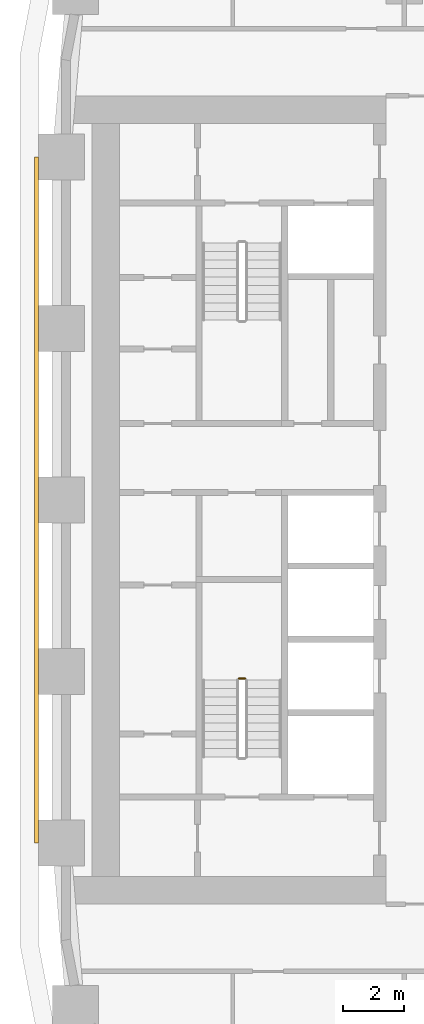
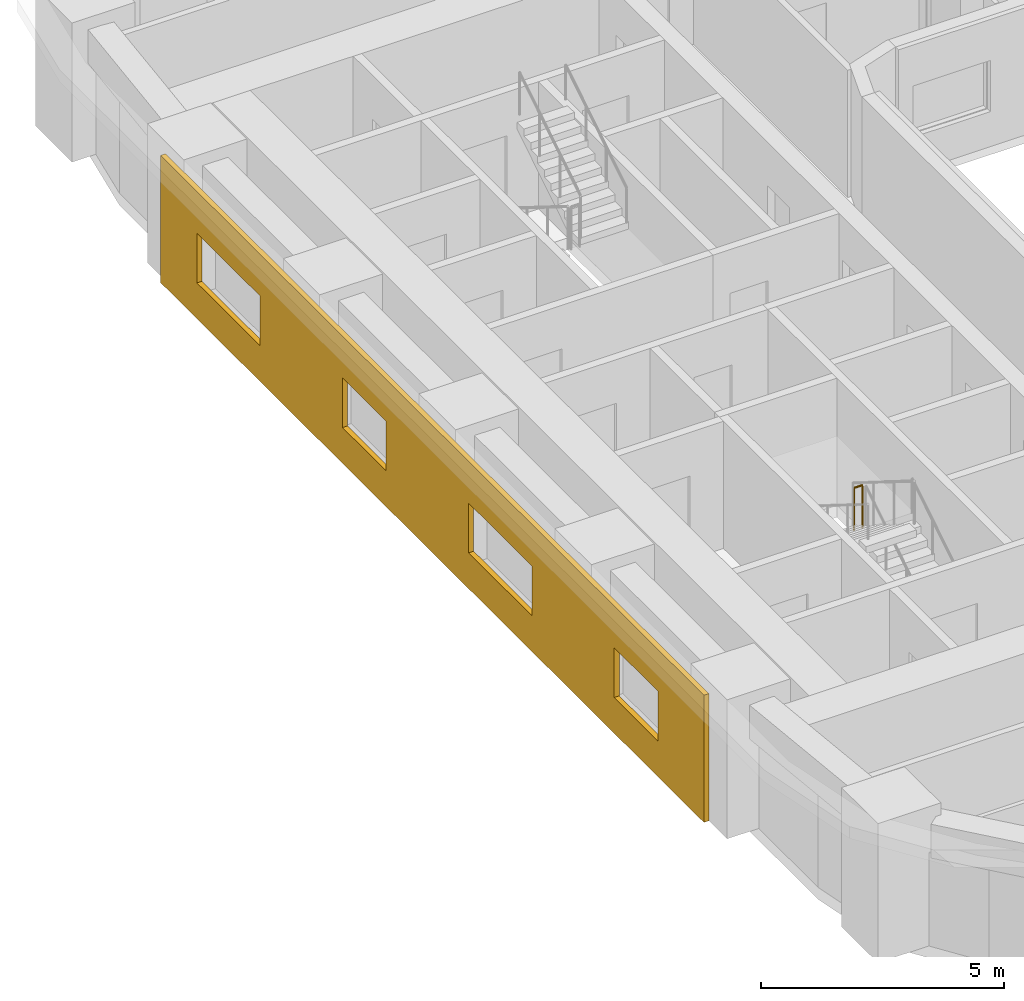
# One storey, part 13 of 21: 1 covering, 1 railing.
"""IFC4 building model written with IfcOpenShell, lengths in metres."""

from ifc_helpers import new_model, si_unit, direction, frame, origin, origin_2d, place, context, subcontext, project, spatial, polyline, circle, outline, extrude, material, layer, layer_set, type_object, element, save


model = new_model("IFC4")

# Units and contexts
model_context = context("Model", 3, precision=1e-05, world=origin(), true_north=direction((0.0, 1.0)))
body_context = subcontext(model_context, "Body", "Model", "MODEL_VIEW")
ifc_project = project(units=[si_unit("LENGTHUNIT", "METRE"), si_unit("AREAUNIT", "SQUARE_METRE"), si_unit("VOLUMEUNIT", "CUBIC_METRE"), si_unit("PLANEANGLEUNIT", "RADIAN"), si_unit("MASSUNIT", "GRAM", prefix="KILO")], contexts=[model_context])

# Site, building, storey
site_placement = place(None, origin())
site = spatial("IfcSite", under=ifc_project, at=site_placement, CompositionType="ELEMENT")
building_placement = place(site_placement, origin())
building = spatial("IfcBuilding", under=site, at=building_placement, Name="Kiln Ring Residences", CompositionType="ELEMENT")
storey_placement = place(building_placement, frame((0.0, 0.0, 48.0)))
storey = spatial("IfcBuildingStorey", under=building, at=storey_placement, Name="L11", CompositionType="ELEMENT", Elevation=48.0)

# Railing
ifc_material_1 = material(Name="Stainless steel", Category="steel")
railing_type = type_object("IfcRailingType", Name="CORE-STAIR-GUARD", PredefinedType="GUARDRAIL", material=ifc_material_1)
railing_placement = place(storey_placement, frame((-22.0, -5.830078125, 1.75)))
element("IfcRailing", 1, at=railing_placement, inside=storey, type_object=railing_type, Name="L11 W-STS stair guard 2", PredefinedType="GUARDRAIL", context=body_context, shape_type="SweptSolid", body=[
    extrude(circle(Radius=0.02392578125, at=origin_2d()), frame((0.0, 0.0, 1.076171875), z_axis=(-1.0, 0.0, 0.0), x_axis=(0.0, -1.0, 0.0)), (0.0, 0.0, 1.0), 0.199951171875),
    extrude(circle(Radius=0.02099609375, at=origin_2d()), origin(), (0.0, 0.0, 1.0), 1.052001953125),
    extrude(circle(Radius=0.02099609375, at=origin_2d()), frame((-0.199951171875, 0.0, 0.0)), (0.0, 0.0, 1.0), 1.052001953125),
])

# Covering
ifc_material_2 = material(Name="Brick masonry, dark clay brick", Category="masonry")
ifc_layer = layer(ifc_material_2, 0.1201171875)
ifc_layer_set = layer_set([ifc_layer], Name="RAINSCREEN PANEL 120")
covering_type = type_object("IfcCoveringType", Name="RAINSCREEN PANEL 120", PredefinedType="CLADDING", material=ifc_layer_set)
covering_placement = place(storey_placement, frame((-28.81005859375, 11.199951171875, 0.0), z_axis=(0.0, 0.0, 1.0), x_axis=(0.0, -1.0, 0.0)))
element("IfcCovering", 2, at=covering_placement, inside=storey, type_object=covering_type, Name="RAINSCREEN L11", PredefinedType="CLADDING", context=body_context, shape_type="SweptSolid", body=[
    extrude(outline(polyline([(0.0, 0.0), (22.39990234375, 0.0), (22.39990234375, 3.199951171875), (0.0, 3.199951171875), (0.0, 0.0)]), holes=[polyline([(4.10009765625, 0.89990234375), (4.10009765625, 2.14990234375), (1.5, 2.14990234375), (1.5, 0.89990234375), (4.10009765625, 0.89990234375)]), polyline([(9.300048828125, 0.89990234375), (9.300048828125, 2.14990234375), (7.5, 2.14990234375), (7.5, 0.89990234375), (9.300048828125, 0.89990234375)]), polyline([(15.300048828125, 0.89990234375), (15.300048828125, 2.14990234375), (12.699951171875, 2.14990234375), (12.699951171875, 0.89990234375), (15.300048828125, 0.89990234375)]), polyline([(20.5, 0.89990234375), (20.5, 2.14990234375), (18.699951171875, 2.14990234375), (18.699951171875, 0.89990234375), (20.5, 0.89990234375)])]), frame((0.0, 0.06005859375, 0.0), z_axis=(0.0, -1.0, 0.0), x_axis=(1.0, 0.0, 0.0)), (0.0, 0.0, 1.0), 0.1201171875),
])

save(model, "model.ifc")
